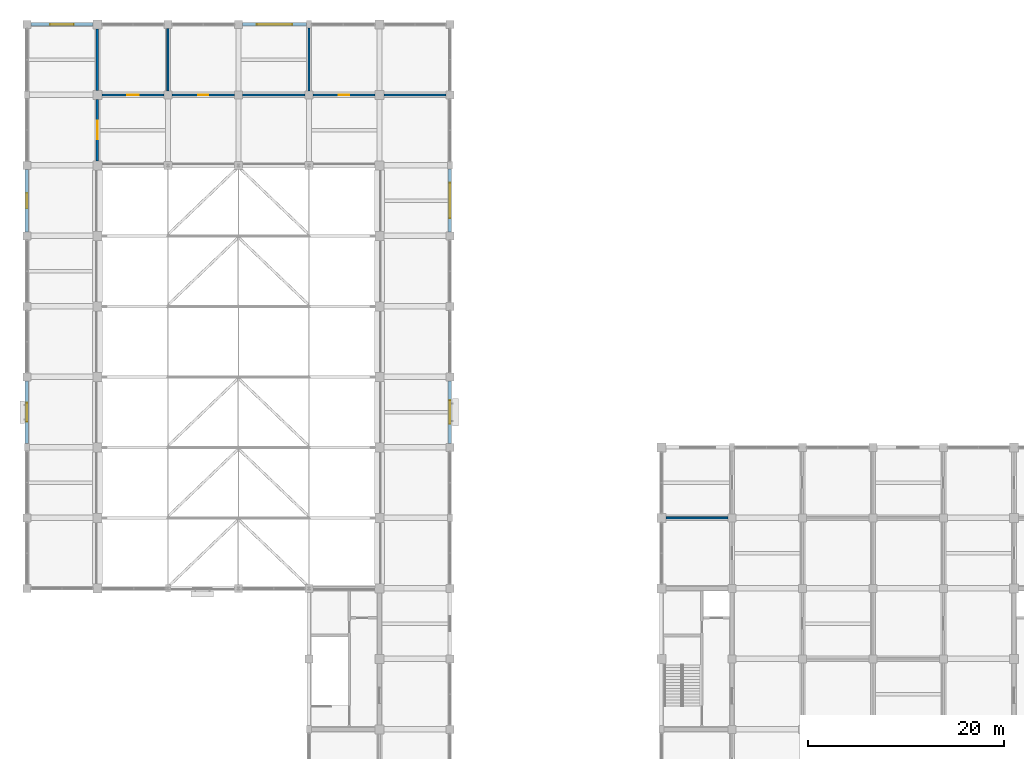
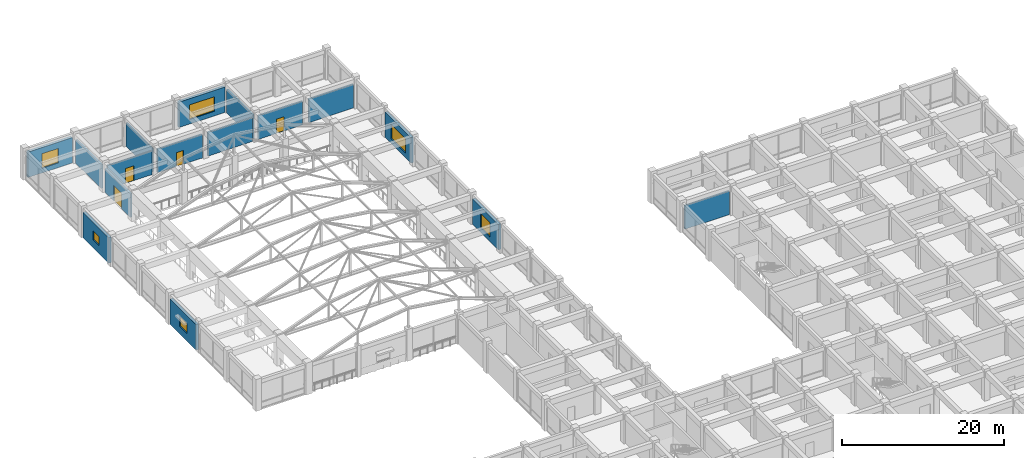
# One storey, part 61 of 75: 16 walls, 6 windows, 4 doors, 10 openings.
"""IFC4 building model written with IfcOpenShell, lengths in metres."""

from ifc_helpers import new_model, si_unit, direction, frame, frame_2d, origin, place, context, subcontext, project, spatial, rectangle, extrude, material, layer, layer_set, type_object, element, fill, save


model = new_model("IFC4")

# Units and contexts
model_context = context("Model", 3, precision=1e-05, world=origin(), true_north=direction((0.0, 1.0)))
body_context = subcontext(model_context, "Body", "Model", "MODEL_VIEW")
ifc_project = project(units=[si_unit("LENGTHUNIT", "METRE"), si_unit("AREAUNIT", "SQUARE_METRE"), si_unit("VOLUMEUNIT", "CUBIC_METRE"), si_unit("PLANEANGLEUNIT", "RADIAN"), si_unit("MASSUNIT", "GRAM", prefix="KILO")], contexts=[model_context])

# Site, building, storey
site_placement = place(None, origin())
site = spatial("IfcSite", under=ifc_project, at=site_placement, CompositionType="ELEMENT")
building_placement = place(site_placement, origin())
building = spatial("IfcBuilding", under=site, at=building_placement, Name="Cendaluz Park School", CompositionType="ELEMENT")
storey_placement = place(building_placement, frame((0.0, 0.0, 4.800048828125)))
storey = spatial("IfcBuildingStorey", under=building, at=storey_placement, Name="L01", CompositionType="ELEMENT", Elevation=4.800048828125)

# Wall, opening, door
ifc_material_1 = material(Name="Gypsum Plasterboard on Cold-Formed Stud", Category="gypsum")
ifc_layer_1 = layer(ifc_material_1, 0.199951171875)
ifc_layer_set_1 = layer_set([ifc_layer_1], Name="Gypsum Plasterboard on Cold-Formed Stud")
wall_type_1 = type_object("IfcWallType", Name="W-AC20", PredefinedType="PARTITIONING", material=ifc_layer_set_1)
wall_1_placement = place(storey_placement, frame((7.64990234375, 108.0, 0.0), z_axis=(0.0, 0.0, 1.0), x_axis=(1.0, 0.0, 0.0)))
wall_1 = element("IfcWall", 1, at=wall_1_placement, inside=storey, type_object=wall_type_1, Name="WL-FB-BT0", PredefinedType="PARTITIONING", context=body_context, shape_type="SweptSolid", body=[
    extrude(rectangle(XDim=6.35009765625, YDim=0.199951171875, at=frame_2d((3.175048828125, 0.0))), origin(), (0.0, 0.0, 1.0), 3.579833984375),
])
opening_1_placement = place(wall_1_placement, frame((2.574951171875, 0.0, 0.0)))
opening_1 = element("IfcOpeningElement", 2, at=opening_1_placement, cuts=wall_1, Name="Opening DCL-08", PredefinedType="OPENING", context=body_context, shape_type="SweptSolid", body=[
    extrude(rectangle(XDim=1.199951171875, YDim=2.239990234375, at=frame_2d((0.60009765625, 1.1201171875))), frame((0.0, 0.112060546875, 0.0), z_axis=(0.0, -1.0, 0.0), x_axis=(1.0, 0.0, 0.0)), (0.0, 0.0, 1.0), 0.223876953125),
])
ifc_material_2 = material(Name="Solid Core Hardwood", Category="wood")
door_type_1 = type_object("IfcDoorType", Name="DCL-08", OperationType="NOTDEFINED", PredefinedType="DOOR", material=ifc_material_2)
door_1_placement = place(opening_1_placement, origin())
door_1 = element("IfcDoor", 3, at=door_1_placement, inside=storey, type_object=door_type_1, Name="D-L01-050", OperationType="SINGLE_SWING_RIGHT", OverallHeight=2.239990234375, OverallWidth=1.199951171875, PredefinedType="DOOR", context=body_context, shape_type="SweptSolid", body=[
    extrude(rectangle(XDim=1.199951171875, YDim=2.239990234375, at=frame_2d((0.60009765625, 1.1201171875))), frame((0.0, 0.02490234375, 0.0), z_axis=(0.0, -1.0, 0.0), x_axis=(1.0, 0.0, 0.0)), (0.0, 0.0, 1.0), 0.050048828125),
])
fill(opening_1, door_1)

# Walls
wall_2_placement = place(storey_placement, frame((14.39990234375, 108.39990234375, 0.0), z_axis=(0.0, 0.0, 1.0), x_axis=(0.0, 1.0, 0.0)))
element("IfcWall", 4, at=wall_2_placement, inside=storey, type_object=wall_type_1, Name="WL-FB-BT1", PredefinedType="PARTITIONING", context=body_context, shape_type="SweptSolid", body=[
    extrude(rectangle(XDim=6.400146484375, YDim=0.199951171875, at=frame_2d((3.2001953125, 0.0))), origin(), (0.0, 0.0, 1.0), 3.579833984375),
])
wall_3_placement = place(storey_placement, frame((65.25, 64.800048828125, 0.0), z_axis=(0.0, 0.0, 1.0), x_axis=(1.0, 0.0, 0.0)))
element("IfcWall", 5, at=wall_3_placement, inside=storey, type_object=wall_type_1, Name="WL-FB-BV3", PredefinedType="PARTITIONING", context=body_context, shape_type="SweptSolid", body=[
    extrude(rectangle(XDim=6.35009765625, YDim=0.199951171875, at=frame_2d((3.175048828125, 0.0))), origin(), (0.0, 0.0, 1.0), 3.579833984375),
])

# Wall, opening, door
ifc_layer_2 = layer(ifc_material_1, 0.25)
ifc_layer_set_2 = layer_set([ifc_layer_2], Name="Gypsum Plasterboard on Cold-Formed Stud")
wall_type_2 = type_object("IfcWallType", Name="W-CP25", PredefinedType="PARTITIONING", material=ifc_layer_set_2)
wall_4_placement = place(storey_placement, frame((7.199951171875, 101.25, 0.0), z_axis=(0.0, 0.0, 1.0), x_axis=(0.0, 1.0, 0.0)))
wall_4 = element("IfcWall", 6, at=wall_4_placement, inside=storey, type_object=wall_type_2, Name="WL-FB-BP1", PredefinedType="PARTITIONING", context=body_context, shape_type="SweptSolid", body=[
    extrude(rectangle(XDim=6.300048828125, YDim=0.25, at=frame_2d((3.14990234375, 0.0))), origin(), (0.0, 0.0, 1.0), 3.579833984375),
])
opening_2_placement = place(wall_4_placement, frame((2.199951171875, 0.0, 0.0)))
opening_2 = element("IfcOpeningElement", 7, at=opening_2_placement, cuts=wall_4, Name="Opening DHL-01", PredefinedType="OPENING", context=body_context, shape_type="SweptSolid", body=[
    extrude(rectangle(XDim=1.89990234375, YDim=2.35009765625, at=frame_2d((0.949951171875, 1.175048828125))), frame((0.0, 0.136962890625, 0.0), z_axis=(0.0, -1.0, 0.0), x_axis=(1.0, 0.0, 0.0)), (0.0, 0.0, 1.0), 0.27392578125),
])
door_type_2 = type_object("IfcDoorType", Name="DHL-01", OperationType="DOUBLE_DOOR_SINGLE_SWING", PredefinedType="DOOR", material=ifc_material_2)
door_2_placement = place(opening_2_placement, frame((1.89990234375, 0.0, 0.0), z_axis=(0.0, 0.0, 1.0), x_axis=(-1.0, 0.0, 0.0)))
door_2 = element("IfcDoor", 8, at=door_2_placement, inside=storey, type_object=door_type_2, Name="D-L01-035", OperationType="DOUBLE_DOOR_SINGLE_SWING", OverallHeight=2.35009765625, OverallWidth=1.89990234375, PredefinedType="DOOR", context=body_context, shape_type="SweptSolid", body=[
    extrude(rectangle(XDim=1.89990234375, YDim=2.35009765625, at=frame_2d((0.949951171875, 1.175048828125))), frame((0.0, 0.02490234375, 0.0), z_axis=(0.0, -1.0, 0.0), x_axis=(1.0, 0.0, 0.0)), (0.0, 0.0, 1.0), 0.050048828125),
])
fill(opening_2, door_2)

# Wall
wall_5_placement = place(storey_placement, frame((7.199951171875, 108.449951171875, 0.0), z_axis=(0.0, 0.0, 1.0), x_axis=(0.0, 1.0, 0.0)))
element("IfcWall", 9, at=wall_5_placement, inside=storey, type_object=wall_type_2, Name="WL-FB-BP2", PredefinedType="PARTITIONING", context=body_context, shape_type="SweptSolid", body=[
    extrude(rectangle(XDim=6.300048828125, YDim=0.25, at=frame_2d((3.14990234375, 0.0))), origin(), (0.0, 0.0, 1.0), 3.579833984375),
])

# Wall, opening, window
ifc_material_3 = material(Name="Concrete C40/50 precast", Category="concrete")
ifc_layer_3 = layer(ifc_material_3, 0.360107421875)
ifc_layer_set_3 = layer_set([ifc_layer_3], Name="Concrete C40/50 precast")
wall_type_3 = type_object("IfcWallType", Name="W-EX36", PredefinedType="SOLIDWALL", material=ifc_layer_set_3)
wall_6_placement = place(storey_placement, frame((0.0, 72.375, 0.0), z_axis=(0.0, 0.0, 1.0), x_axis=(0.0, 1.0, 0.0)))
wall_6 = element("IfcWall", 10, at=wall_6_placement, inside=storey, type_object=wall_type_3, Name="WL-FB-AA2", PredefinedType="SOLIDWALL", context=body_context, shape_type="SweptSolid", body=[
    extrude(rectangle(XDim=6.425048828125, YDim=0.360107421875, at=frame_2d((3.21240234375, 0.0))), origin(), (0.0, 0.0, 1.0), 3.849853515625),
])
opening_3_placement = place(wall_6_placement, frame((2.262451171875, 0.0, 1.10009765625)))
opening_3 = element("IfcOpeningElement", 11, at=opening_3_placement, cuts=wall_6, Name="Opening WN-17", PredefinedType="OPENING", context=body_context, shape_type="SweptSolid", body=[
    extrude(rectangle(XDim=1.89990234375, YDim=1.5, at=frame_2d((0.949951171875, 0.75))), frame((0.0, 0.192138671875, 0.0), z_axis=(0.0, -1.0, 0.0), x_axis=(1.0, 0.0, 0.0)), (0.0, 0.0, 1.0), 0.384033203125),
])
ifc_material_4 = material(Name="Tempered Low-E Double Glazing", Category="glass")
window_type_1 = type_object("IfcWindowType", Name="WN-17", PartitioningType="SINGLE_PANEL", PredefinedType="WINDOW", material=ifc_material_4)
window_1_placement = place(opening_3_placement, origin())
window_1 = element("IfcWindow", 12, at=window_1_placement, inside=storey, type_object=window_type_1, Name="WN-L01-003", OverallHeight=1.5, OverallWidth=1.89990234375, PartitioningType="SINGLE_PANEL", PredefinedType="WINDOW", context=body_context, shape_type="SweptSolid", body=[
    extrude(rectangle(XDim=1.89990234375, YDim=1.5, at=frame_2d((0.949951171875, 0.75))), frame((0.0, 0.030029296875, 0.0), z_axis=(0.0, -1.0, 0.0), x_axis=(1.0, 0.0, 0.0)), (0.0, 0.0, 1.0), 0.06005859375),
])
fill(opening_3, window_1)

wall_7_placement = place(storey_placement, frame((0.0, 94.0, 0.0), z_axis=(0.0, 0.0, 1.0), x_axis=(0.0, 1.0, 0.0)))
wall_7 = element("IfcWall", 13, at=wall_7_placement, inside=storey, type_object=wall_type_3, Name="WL-FB-AA3", PredefinedType="SOLIDWALL", context=body_context, shape_type="SweptSolid", body=[
    extrude(rectangle(XDim=6.39990234375, YDim=0.360107421875, at=frame_2d((3.199951171875, 0.0))), origin(), (0.0, 0.0, 1.0), 3.849853515625),
])
opening_4_placement = place(wall_7_placement, frame((2.449951171875, 0.0, 1.199951171875)))
opening_4 = element("IfcOpeningElement", 14, at=opening_4_placement, cuts=wall_7, Name="Opening WN-20", PredefinedType="OPENING", context=body_context, shape_type="SweptSolid", body=[
    extrude(rectangle(XDim=1.5, YDim=1.35009765625, at=frame_2d((0.75, 0.675048828125))), frame((0.0, 0.192138671875, 0.0), z_axis=(0.0, -1.0, 0.0), x_axis=(1.0, 0.0, 0.0)), (0.0, 0.0, 1.0), 0.384033203125),
])
window_type_2 = type_object("IfcWindowType", Name="WN-20", PartitioningType="SINGLE_PANEL", PredefinedType="WINDOW", material=ifc_material_4)
window_2_placement = place(opening_4_placement, origin())
window_2 = element("IfcWindow", 15, at=window_2_placement, inside=storey, type_object=window_type_2, Name="WN-L01-004", OverallHeight=1.35009765625, OverallWidth=1.5, PartitioningType="SINGLE_PANEL", PredefinedType="WINDOW", context=body_context, shape_type="SweptSolid", body=[
    extrude(rectangle(XDim=1.5, YDim=1.35009765625, at=frame_2d((0.75, 0.675048828125))), frame((0.0, 0.030029296875, 0.0), z_axis=(0.0, -1.0, 0.0), x_axis=(1.0, 0.0, 0.0)), (0.0, 0.0, 1.0), 0.06005859375),
])
fill(opening_4, window_2)

wall_8_placement = place(storey_placement, frame((0.39990234375, 115.199951171875, 0.0), z_axis=(0.0, 0.0, 1.0), x_axis=(1.0, 0.0, 0.0)))
wall_8 = element("IfcWall", 16, at=wall_8_placement, inside=storey, type_object=wall_type_3, Name="WL-FB-AA4", PredefinedType="SOLIDWALL", context=body_context, shape_type="SweptSolid", body=[
    extrude(rectangle(XDim=6.35009765625, YDim=0.360107421875, at=frame_2d((3.175048828125, 0.0))), origin(), (0.0, 0.0, 1.0), 3.849853515625),
])
opening_5_placement = place(wall_8_placement, frame((1.97509765625, 0.0, 0.699951171875)))
opening_5 = element("IfcOpeningElement", 17, at=opening_5_placement, cuts=wall_8, Name="Opening WN-23", PredefinedType="OPENING", context=body_context, shape_type="SweptSolid", body=[
    extrude(rectangle(XDim=2.39990234375, YDim=2.199951171875, at=frame_2d((1.199951171875, 1.10009765625))), frame((0.0, 0.192138671875, 0.0), z_axis=(0.0, -1.0, 0.0), x_axis=(1.0, 0.0, 0.0)), (0.0, 0.0, 1.0), 0.384033203125),
])
window_type_3 = type_object("IfcWindowType", Name="WN-23", PartitioningType="SINGLE_PANEL", PredefinedType="WINDOW", material=ifc_material_4)
window_3_placement = place(opening_5_placement, origin())
window_3 = element("IfcWindow", 18, at=window_3_placement, inside=storey, type_object=window_type_3, Name="WN-L01-005", OverallHeight=2.199951171875, OverallWidth=2.39990234375, PartitioningType="SINGLE_PANEL", PredefinedType="WINDOW", context=body_context, shape_type="SweptSolid", body=[
    extrude(rectangle(XDim=2.39990234375, YDim=2.199951171875, at=frame_2d((1.199951171875, 1.10009765625))), frame((0.0, 0.030029296875, 0.0), z_axis=(0.0, -1.0, 0.0), x_axis=(1.0, 0.0, 0.0)), (0.0, 0.0, 1.0), 0.06005859375),
])
fill(opening_5, window_3)

wall_9_placement = place(storey_placement, frame((22.0, 115.199951171875, 0.0), z_axis=(0.0, 0.0, 1.0), x_axis=(1.0, 0.0, 0.0)))
wall_9 = element("IfcWall", 19, at=wall_9_placement, inside=storey, type_object=wall_type_3, Name="WL-FB-AA8", PredefinedType="SOLIDWALL", context=body_context, shape_type="SweptSolid", body=[
    extrude(rectangle(XDim=6.550048828125, YDim=0.360107421875, at=frame_2d((3.27490234375, 0.0))), origin(), (0.0, 0.0, 1.0), 3.849853515625),
])
opening_6_placement = place(wall_9_placement, frame((1.47509765625, 0.0, 0.699951171875)))
opening_6 = element("IfcOpeningElement", 20, at=opening_6_placement, cuts=wall_9, Name="Opening WN-26", PredefinedType="OPENING", context=body_context, shape_type="SweptSolid", body=[
    extrude(rectangle(XDim=3.60009765625, YDim=2.199951171875, at=frame_2d((1.800048828125, 1.10009765625))), frame((0.0, 0.192138671875, 0.0), z_axis=(0.0, -1.0, 0.0), x_axis=(1.0, 0.0, 0.0)), (0.0, 0.0, 1.0), 0.384033203125),
])
window_type_4 = type_object("IfcWindowType", Name="WN-26", PartitioningType="SINGLE_PANEL", PredefinedType="WINDOW", material=ifc_material_4)
window_4_placement = place(opening_6_placement, origin())
window_4 = element("IfcWindow", 21, at=window_4_placement, inside=storey, type_object=window_type_4, Name="WN-L01-009", OverallHeight=2.199951171875, OverallWidth=3.60009765625, PartitioningType="SINGLE_PANEL", PredefinedType="WINDOW", context=body_context, shape_type="SweptSolid", body=[
    extrude(rectangle(XDim=3.60009765625, YDim=2.199951171875, at=frame_2d((1.800048828125, 1.10009765625))), frame((0.0, 0.030029296875, 0.0), z_axis=(0.0, -1.0, 0.0), x_axis=(1.0, 0.0, 0.0)), (0.0, 0.0, 1.0), 0.06005859375),
])
fill(opening_6, window_4)

wall_10_placement = place(storey_placement, frame((43.199951171875, 72.39990234375, 0.0), z_axis=(0.0, 0.0, 1.0), x_axis=(0.0, 1.0, 0.0)))
wall_10 = element("IfcWall", 22, at=wall_10_placement, inside=storey, type_object=wall_type_3, Name="WL-FB-AB2", PredefinedType="SOLIDWALL", context=body_context, shape_type="SweptSolid", body=[
    extrude(rectangle(XDim=6.400146484375, YDim=0.360107421875, at=frame_2d((3.2001953125, 0.0))), origin(), (0.0, 0.0, 1.0), 3.849853515625),
])
opening_7_placement = place(wall_10_placement, frame((2.0, 0.0, 0.699951171875)))
opening_7 = element("IfcOpeningElement", 23, at=opening_7_placement, cuts=wall_10, Name="Opening WN-23", PredefinedType="OPENING", context=body_context, shape_type="SweptSolid", body=[
    extrude(rectangle(XDim=2.39990234375, YDim=2.199951171875, at=frame_2d((1.199951171875, 1.10009765625))), frame((0.0, 0.192138671875, 0.0), z_axis=(0.0, -1.0, 0.0), x_axis=(1.0, 0.0, 0.0)), (0.0, 0.0, 1.0), 0.384033203125),
])
window_5_placement = place(opening_7_placement, origin())
window_5 = element("IfcWindow", 24, at=window_5_placement, inside=storey, type_object=window_type_3, Name="WN-L01-013", OverallHeight=2.199951171875, OverallWidth=2.39990234375, PartitioningType="SINGLE_PANEL", PredefinedType="WINDOW", context=body_context, shape_type="SweptSolid", body=[
    extrude(rectangle(XDim=2.39990234375, YDim=2.199951171875, at=frame_2d((1.199951171875, 1.10009765625))), frame((0.0, 0.030029296875, 0.0), z_axis=(0.0, -1.0, 0.0), x_axis=(1.0, 0.0, 0.0)), (0.0, 0.0, 1.0), 0.06005859375),
])
fill(opening_7, window_5)

wall_11_placement = place(storey_placement, frame((43.199951171875, 94.0, 0.0), z_axis=(0.0, 0.0, 1.0), x_axis=(0.0, 1.0, 0.0)))
wall_11 = element("IfcWall", 25, at=wall_11_placement, inside=storey, type_object=wall_type_3, Name="WL-FB-AB3", PredefinedType="SOLIDWALL", context=body_context, shape_type="SweptSolid", body=[
    extrude(rectangle(XDim=6.425048828125, YDim=0.360107421875, at=frame_2d((3.21240234375, 0.0))), origin(), (0.0, 0.0, 1.0), 3.849853515625),
])
opening_8_placement = place(wall_11_placement, frame((1.41259765625, 0.0, 0.699951171875)))
opening_8 = element("IfcOpeningElement", 26, at=opening_8_placement, cuts=wall_11, Name="Opening WN-26", PredefinedType="OPENING", context=body_context, shape_type="SweptSolid", body=[
    extrude(rectangle(XDim=3.60009765625, YDim=2.199951171875, at=frame_2d((1.800048828125, 1.10009765625))), frame((0.0, 0.192138671875, 0.0), z_axis=(0.0, -1.0, 0.0), x_axis=(1.0, 0.0, 0.0)), (0.0, 0.0, 1.0), 0.384033203125),
])
window_6_placement = place(opening_8_placement, origin())
window_6 = element("IfcWindow", 27, at=window_6_placement, inside=storey, type_object=window_type_4, Name="WN-L01-014", OverallHeight=2.199951171875, OverallWidth=3.60009765625, PartitioningType="SINGLE_PANEL", PredefinedType="WINDOW", context=body_context, shape_type="SweptSolid", body=[
    extrude(rectangle(XDim=3.60009765625, YDim=2.199951171875, at=frame_2d((1.800048828125, 1.10009765625))), frame((0.0, 0.030029296875, 0.0), z_axis=(0.0, -1.0, 0.0), x_axis=(1.0, 0.0, 0.0)), (0.0, 0.0, 1.0), 0.06005859375),
])
fill(opening_8, window_6)

# Wall, opening, door
ifc_layer_4 = layer(ifc_material_1, 0.219970703125)
ifc_layer_set_4 = layer_set([ifc_layer_4], Name="Gypsum Plasterboard on Cold-Formed Stud")
wall_type_4 = type_object("IfcWallType", Name="W-LB22", PredefinedType="PARTITIONING", material=ifc_layer_set_4)
wall_12_placement = place(storey_placement, frame((14.800048828125, 108.0, 0.0), z_axis=(0.0, 0.0, 1.0), x_axis=(1.0, 0.0, 0.0)))
wall_12 = element("IfcWall", 28, at=wall_12_placement, inside=storey, type_object=wall_type_4, Name="WL-FB-BT8", PredefinedType="PARTITIONING", context=body_context, shape_type="SweptSolid", body=[
    extrude(rectangle(XDim=6.39990234375, YDim=0.219970703125, at=frame_2d((3.199951171875, 0.0))), origin(), (0.0, 0.0, 1.0), 3.579833984375),
])
opening_9_placement = place(wall_12_placement, frame((2.699951171875, 0.0, 0.0)))
opening_9 = element("IfcOpeningElement", 29, at=opening_9_placement, cuts=wall_12, Name="Opening DCL-01", PredefinedType="OPENING", context=body_context, shape_type="SweptSolid", body=[
    extrude(rectangle(XDim=1.0, YDim=2.10009765625, at=frame_2d((0.5, 1.050048828125))), frame((0.0, 0.1220703125, 0.0), z_axis=(0.0, -1.0, 0.0), x_axis=(1.0, 0.0, 0.0)), (0.0, 0.0, 1.0), 0.243896484375),
])
door_type_3 = type_object("IfcDoorType", Name="DCL-01", OperationType="NOTDEFINED", PredefinedType="DOOR", material=ifc_material_2)
door_3_placement = place(opening_9_placement, frame((1.0, 0.0, 0.0), z_axis=(0.0, 0.0, 1.0), x_axis=(-1.0, 0.0, 0.0)))
door_3 = element("IfcDoor", 30, at=door_3_placement, inside=storey, type_object=door_type_3, Name="D-L01-053", OperationType="SINGLE_SWING_LEFT", OverallHeight=2.10009765625, OverallWidth=1.0, PredefinedType="DOOR", context=body_context, shape_type="SweptSolid", body=[
    extrude(rectangle(XDim=1.0, YDim=2.10009765625, at=frame_2d((0.5, 1.050048828125))), frame((0.0, 0.02490234375, 0.0), z_axis=(0.0, -1.0, 0.0), x_axis=(1.0, 0.0, 0.0)), (0.0, 0.0, 1.0), 0.050048828125),
])
fill(opening_9, door_3)

# Walls
wall_13_placement = place(storey_placement, frame((22.0, 108.0, 0.0), z_axis=(0.0, 0.0, 1.0), x_axis=(1.0, 0.0, 0.0)))
element("IfcWall", 31, at=wall_13_placement, inside=storey, type_object=wall_type_4, Name="WL-FB-BT9", PredefinedType="PARTITIONING", context=body_context, shape_type="SweptSolid", body=[
    extrude(rectangle(XDim=6.39990234375, YDim=0.219970703125, at=frame_2d((3.199951171875, 0.0))), origin(), (0.0, 0.0, 1.0), 3.579833984375),
])
wall_14_placement = place(storey_placement, frame((28.800048828125, 108.39990234375, 0.0), z_axis=(0.0, 0.0, 1.0), x_axis=(0.0, 1.0, 0.0)))
element("IfcWall", 32, at=wall_14_placement, inside=storey, type_object=wall_type_4, Name="WL-FB-BU0", PredefinedType="PARTITIONING", context=body_context, shape_type="SweptSolid", body=[
    extrude(rectangle(XDim=6.425048828125, YDim=0.219970703125, at=frame_2d((3.21240234375, 0.0))), origin(), (0.0, 0.0, 1.0), 3.579833984375),
])

# Wall, opening, door
wall_15_placement = place(storey_placement, frame((29.199951171875, 108.0, 0.0), z_axis=(0.0, 0.0, 1.0), x_axis=(1.0, 0.0, 0.0)))
wall_15 = element("IfcWall", 33, at=wall_15_placement, inside=storey, type_object=wall_type_4, Name="WL-FB-BU5", PredefinedType="PARTITIONING", context=body_context, shape_type="SweptSolid", body=[
    extrude(rectangle(XDim=6.35009765625, YDim=0.219970703125, at=frame_2d((3.175048828125, 0.0))), origin(), (0.0, 0.0, 1.0), 3.579833984375),
])
opening_10_placement = place(wall_15_placement, frame((2.64501953125, 0.0, 0.0)))
opening_10 = element("IfcOpeningElement", 34, at=opening_10_placement, cuts=wall_15, Name="Opening DCL-04", PredefinedType="OPENING", context=body_context, shape_type="SweptSolid", body=[
    extrude(rectangle(XDim=1.06005859375, YDim=2.159912109375, at=frame_2d((0.530029296875, 1.080078125))), frame((0.0, 0.1220703125, 0.0), z_axis=(0.0, -1.0, 0.0), x_axis=(1.0, 0.0, 0.0)), (0.0, 0.0, 1.0), 0.243896484375),
])
door_type_4 = type_object("IfcDoorType", Name="DCL-04", OperationType="NOTDEFINED", PredefinedType="DOOR", material=ifc_material_2)
door_4_placement = place(opening_10_placement, frame((1.06005859375, 0.0, 0.0), z_axis=(0.0, 0.0, 1.0), x_axis=(-1.0, 0.0, 0.0)))
door_4 = element("IfcDoor", 35, at=door_4_placement, inside=storey, type_object=door_type_4, Name="D-L01-056", OperationType="SINGLE_SWING_RIGHT", OverallHeight=2.159912109375, OverallWidth=1.06005859375, PredefinedType="DOOR", context=body_context, shape_type="SweptSolid", body=[
    extrude(rectangle(XDim=1.06005859375, YDim=2.159912109375, at=frame_2d((0.530029296875, 1.080078125))), frame((0.0, 0.02490234375, 0.0), z_axis=(0.0, -1.0, 0.0), x_axis=(1.0, 0.0, 0.0)), (0.0, 0.0, 1.0), 0.050048828125),
])
fill(opening_10, door_4)

# Wall
wall_16_placement = place(storey_placement, frame((36.449951171875, 108.0, 0.0), z_axis=(0.0, 0.0, 1.0), x_axis=(1.0, 0.0, 0.0)))
element("IfcWall", 36, at=wall_16_placement, inside=storey, type_object=wall_type_4, Name="WL-FB-BU6", PredefinedType="PARTITIONING", context=body_context, shape_type="SweptSolid", body=[
    extrude(rectangle(XDim=6.35009765625, YDim=0.219970703125, at=frame_2d((3.175048828125, 0.0))), origin(), (0.0, 0.0, 1.0), 3.579833984375),
])

save(model, "model.ifc")
